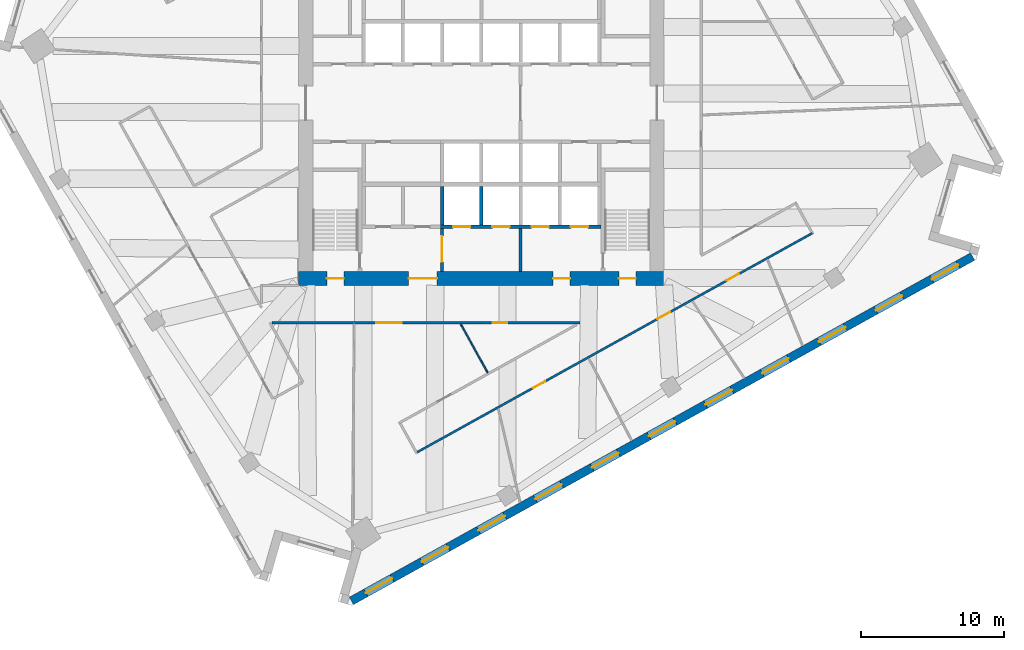
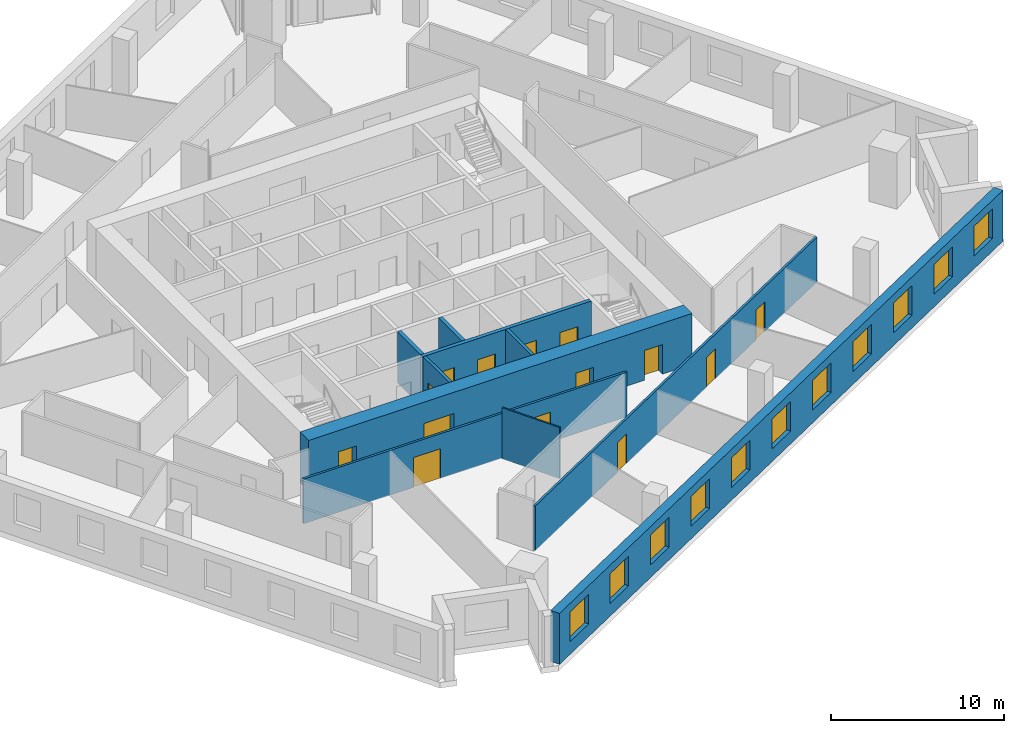
# One storey, part 6 of 12: 14 doors, 11 windows, 10 walls, 25 openings.
"""IFC4 building model written with IfcOpenShell, lengths in metres."""

from ifc_helpers import new_model, si_unit, direction, frame, frame_2d, origin, place, context, subcontext, project, spatial, rectangle, extrude, material, layer, layer_set, type_object, element, fill, save


model = new_model("IFC4")

# Units and contexts
model_context = context("Model", 3, precision=1e-05, world=origin(), true_north=direction((0.0, 1.0)))
body_context = subcontext(model_context, "Body", "Model", "MODEL_VIEW")
ifc_project = project(units=[si_unit("LENGTHUNIT", "METRE"), si_unit("AREAUNIT", "SQUARE_METRE"), si_unit("VOLUMEUNIT", "CUBIC_METRE"), si_unit("PLANEANGLEUNIT", "RADIAN"), si_unit("MASSUNIT", "GRAM", prefix="KILO")], contexts=[model_context])

# Site, building, storey
site_placement = place(None, origin())
site = spatial("IfcSite", under=ifc_project, at=site_placement, CompositionType="ELEMENT")
building_placement = place(site_placement, origin())
building = spatial("IfcBuilding", under=site, at=building_placement, Name="Dilmun Exchange Tower", CompositionType="ELEMENT")
storey_placement = place(building_placement, frame((0.0, 0.0, 143.699951171875)))
storey = spatial("IfcBuildingStorey", under=building, at=storey_placement, Name="L33", CompositionType="ELEMENT", Elevation=143.699951171875)

# Wall, opening, door
ifc_material_1 = material(Name="Concrete C40/50", Category="concrete")
ifc_layer_1 = layer(ifc_material_1, 0.199951171875)
ifc_layer_set_1 = layer_set([ifc_layer_1], Name="Concrete C40/50")
wall_type_1 = type_object("IfcWallType", Name="Core partition wall 200", PredefinedType="PARTITIONING", material=ifc_layer_set_1)
wall_1_placement = place(storey_placement, frame((-2.75, -11.794921875, 0.0), z_axis=(0.0, 0.0, 1.0), x_axis=(0.0, 1.0, 0.0)))
wall_1 = element("IfcWall", 1, at=wall_1_placement, inside=storey, type_object=wall_type_1, Name="L33 core partition wall 01", PredefinedType="PARTITIONING", context=body_context, shape_type="SweptSolid", body=[
    extrude(rectangle(XDim=2.989990234375, YDim=0.199951171875, at=frame_2d((1.4951171875, 0.0))), origin(), (0.0, 0.0, 1.0), 3.60009765625),
])
opening_1_placement = place(wall_1_placement, frame((0.657470703125, 0.0, 0.0)))
opening_1 = element("IfcOpeningElement", 2, at=opening_1_placement, cuts=wall_1, Name="Opening CD5", PredefinedType="OPENING", context=body_context, shape_type="SweptSolid", body=[
    extrude(rectangle(XDim=1.800048828125, YDim=2.10009765625, at=frame_2d((0.89990234375, 1.050048828125))), frame((0.0, 0.10986328125, 0.0), z_axis=(0.0, -1.0, 0.0), x_axis=(1.0, 0.0, 0.0)), (0.0, 0.0, 1.0), 0.219970703125),
])
ifc_material_2 = material(Name="Fire-rated steel door set", Category="steel")
door_type_1 = type_object("IfcDoorType", Name="Stair exit door 1800x2100", OperationType="SINGLE_SWING_LEFT", PredefinedType="DOOR", material=ifc_material_2)
door_1_placement = place(opening_1_placement, origin())
door_1 = element("IfcDoor", 3, at=door_1_placement, inside=storey, type_object=door_type_1, Name="L33 door Service lobby east", OperationType="SINGLE_SWING_LEFT", OverallHeight=2.10009765625, OverallWidth=1.800048828125, PredefinedType="DOOR", context=body_context, shape_type="SweptSolid", body=[
    extrude(rectangle(XDim=1.800048828125, YDim=2.10009765625, at=frame_2d((0.89990234375, 1.050048828125))), frame((0.0, 0.02490234375, 0.0), z_axis=(0.0, -1.0, 0.0), x_axis=(1.0, 0.0, 0.0)), (0.0, 0.0, 1.0), 0.050048828125),
])
fill(opening_1, door_1)

# Wall
wall_2_placement = place(storey_placement, frame((2.75, -11.794921875, 0.0), z_axis=(0.0, 0.0, 1.0), x_axis=(0.0, 1.0, 0.0)))
element("IfcWall", 4, at=wall_2_placement, inside=storey, type_object=wall_type_1, Name="L33 core partition wall 02", PredefinedType="PARTITIONING", context=body_context, shape_type="SweptSolid", body=[
    extrude(rectangle(XDim=2.989990234375, YDim=0.199951171875, at=frame_2d((1.4951171875, 0.0))), origin(), (0.0, 0.0, 1.0), 3.60009765625),
])

# Wall, openings, doors
ifc_material_3 = material(Name="Concrete C70/85", Category="concrete")
ifc_layer_2 = layer(ifc_material_3, 1.0)
ifc_layer_set_2 = layer_set([ifc_layer_2], Name="Concrete C70/85")
wall_type_2 = type_object("IfcWallType", Name="Core shear wall 1000 Concrete C70/85", PredefinedType="SHEAR", material=ifc_layer_set_2)
wall_3_placement = place(storey_placement, frame((-12.800048828125, -12.300048828125, 0.0), z_axis=(0.0, 0.0, 1.0), x_axis=(1.0, 0.0, 0.0)))
wall_3 = element("IfcWall", 5, at=wall_3_placement, inside=storey, type_object=wall_type_2, Name="L33 core shear wall S", PredefinedType="SHEAR", context=body_context, shape_type="SweptSolid", body=[
    extrude(rectangle(XDim=25.60009765625, YDim=1.0, at=frame_2d((12.800048828125, 0.0))), origin(), (0.0, 0.0, 1.0), 3.60009765625),
])
opening_2_placement = place(wall_3_placement, frame((7.699951171875, 0.0, 0.0)))
opening_2 = element("IfcOpeningElement", 6, at=opening_2_placement, cuts=wall_3, Name="Opening CD2", PredefinedType="OPENING", context=body_context, shape_type="SweptSolid", body=[
    extrude(rectangle(XDim=2.0, YDim=2.10009765625, at=frame_2d((1.0, 1.050048828125))), frame((0.0, 0.510009765625, 0.0), z_axis=(0.0, -1.0, 0.0), x_axis=(1.0, 0.0, 0.0)), (0.0, 0.0, 1.0), 1.02001953125),
])
opening_3_placement = place(wall_3_placement, frame((17.824951171875, 0.0, 0.0)))
opening_3 = element("IfcOpeningElement", 7, at=opening_3_placement, cuts=wall_3, Name="Opening CD3", PredefinedType="OPENING", context=body_context, shape_type="SweptSolid", body=[
    extrude(rectangle(XDim=1.199951171875, YDim=2.10009765625, at=frame_2d((0.60009765625, 1.050048828125))), frame((0.0, 0.510009765625, 0.0), z_axis=(0.0, -1.0, 0.0), x_axis=(1.0, 0.0, 0.0)), (0.0, 0.0, 1.0), 1.02001953125),
])
opening_4_placement = place(wall_3_placement, frame((1.97509765625, 0.0, 0.0)))
opening_4 = element("IfcOpeningElement", 8, at=opening_4_placement, cuts=wall_3, Name="Opening CD3", PredefinedType="OPENING", context=body_context, shape_type="SweptSolid", body=[
    extrude(rectangle(XDim=1.199951171875, YDim=2.10009765625, at=frame_2d((0.60009765625, 1.050048828125))), frame((0.0, 0.510009765625, 0.0), z_axis=(0.0, -1.0, 0.0), x_axis=(1.0, 0.0, 0.0)), (0.0, 0.0, 1.0), 1.02001953125),
])
opening_5_placement = place(wall_3_placement, frame((22.425048828125, 0.0, 0.0)))
opening_5 = element("IfcOpeningElement", 9, at=opening_5_placement, cuts=wall_3, Name="Opening CD3", PredefinedType="OPENING", context=body_context, shape_type="SweptSolid", body=[
    extrude(rectangle(XDim=1.199951171875, YDim=2.10009765625, at=frame_2d((0.60009765625, 1.050048828125))), frame((0.0, 0.510009765625, 0.0), z_axis=(0.0, -1.0, 0.0), x_axis=(1.0, 0.0, 0.0)), (0.0, 0.0, 1.0), 1.02001953125),
])
door_type_2 = type_object("IfcDoorType", Name="Core service door 2000x2100", OperationType="DOUBLE_DOOR_DOUBLE_SWING", PredefinedType="DOOR", material=ifc_material_2)
door_2_placement = place(opening_2_placement, origin())
door_2 = element("IfcDoor", 10, at=door_2_placement, inside=storey, type_object=door_type_2, Name="L33 door South service lobby", OperationType="SINGLE_SWING_LEFT", OverallHeight=2.10009765625, OverallWidth=2.0, PredefinedType="DOOR", context=body_context, shape_type="SweptSolid", body=[
    extrude(rectangle(XDim=2.0, YDim=2.10009765625, at=frame_2d((1.0, 1.050048828125))), frame((0.0, 0.02490234375, 0.0), z_axis=(0.0, -1.0, 0.0), x_axis=(1.0, 0.0, 0.0)), (0.0, 0.0, 1.0), 0.050048828125),
])
fill(opening_2, door_2)
door_type_3 = type_object("IfcDoorType", Name="Stair exit door 1200x2100", OperationType="SINGLE_SWING_LEFT", PredefinedType="DOOR", material=ifc_material_2)
door_3_placement = place(opening_3_placement, origin())
door_3 = element("IfcDoor", 11, at=door_3_placement, inside=storey, type_object=door_type_3, Name="L33 door Fire-fighting lobby", OperationType="SINGLE_SWING_LEFT", OverallHeight=2.10009765625, OverallWidth=1.199951171875, PredefinedType="DOOR", context=body_context, shape_type="SweptSolid", body=[
    extrude(rectangle(XDim=1.199951171875, YDim=2.10009765625, at=frame_2d((0.60009765625, 1.050048828125))), frame((0.0, 0.02490234375, 0.0), z_axis=(0.0, -1.0, 0.0), x_axis=(1.0, 0.0, 0.0)), (0.0, 0.0, 1.0), 0.050048828125),
])
fill(opening_3, door_3)
door_4_placement = place(opening_4_placement, origin())
door_4 = element("IfcDoor", 12, at=door_4_placement, inside=storey, type_object=door_type_3, Name="L33 door Stair ST2", OperationType="SINGLE_SWING_LEFT", OverallHeight=2.10009765625, OverallWidth=1.199951171875, PredefinedType="DOOR", context=body_context, shape_type="SweptSolid", body=[
    extrude(rectangle(XDim=1.199951171875, YDim=2.10009765625, at=frame_2d((0.60009765625, 1.050048828125))), frame((0.0, 0.02490234375, 0.0), z_axis=(0.0, -1.0, 0.0), x_axis=(1.0, 0.0, 0.0)), (0.0, 0.0, 1.0), 0.050048828125),
])
fill(opening_4, door_4)
door_5_placement = place(opening_5_placement, origin())
door_5 = element("IfcDoor", 13, at=door_5_placement, inside=storey, type_object=door_type_3, Name="L33 door Stair ST3", OperationType="SINGLE_SWING_LEFT", OverallHeight=2.10009765625, OverallWidth=1.199951171875, PredefinedType="DOOR", context=body_context, shape_type="SweptSolid", body=[
    extrude(rectangle(XDim=1.199951171875, YDim=2.10009765625, at=frame_2d((0.60009765625, 1.050048828125))), frame((0.0, 0.02490234375, 0.0), z_axis=(0.0, -1.0, 0.0), x_axis=(1.0, 0.0, 0.0)), (0.0, 0.0, 1.0), 0.050048828125),
])
fill(opening_5, door_5)

ifc_material_4 = material(Name="Corridor wall 150")
ifc_layer_3 = layer(ifc_material_4, 0.14990234375)
ifc_layer_set_3 = layer_set([ifc_layer_3], Name="Corridor wall 150")
wall_type_3 = type_object("IfcWallType", Name="Corridor wall 150", PredefinedType="PARTITIONING", material=ifc_layer_set_3)
wall_4_placement = place(storey_placement, frame((-14.68359375, -15.39990234375, 0.0), z_axis=(0.0, 0.0, 1.0), x_axis=(1.0, 0.0, 0.0)))
wall_4 = element("IfcWall", 14, at=wall_4_placement, inside=storey, type_object=wall_type_3, Name="Corridor wall", PredefinedType="PARTITIONING", context=body_context, shape_type="SweptSolid", body=[
    extrude(rectangle(XDim=21.595703125, YDim=0.14990234375, at=frame_2d((10.7978515625, 0.0))), origin(), (0.0, 0.0, 1.0), 3.150146484375),
])
opening_6_placement = place(wall_4_placement, frame((7.322265625, 0.0, 0.0)))
opening_6 = element("IfcOpeningElement", 15, at=opening_6_placement, cuts=wall_4, Name="Opening TF31-D10", PredefinedType="OPENING", context=body_context, shape_type="SweptSolid", body=[
    extrude(rectangle(XDim=1.800048828125, YDim=2.10009765625, at=frame_2d((0.89990234375, 1.050048828125))), frame((0.0, 0.0849609375, 0.0), z_axis=(0.0, -1.0, 0.0), x_axis=(1.0, 0.0, 0.0)), (0.0, 0.0, 1.0), 0.169921875),
])
opening_7_placement = place(wall_4_placement, frame((15.4873046875, 0.0, 0.0)))
opening_7 = element("IfcOpeningElement", 16, at=opening_7_placement, cuts=wall_4, Name="Opening TF31-D13", PredefinedType="OPENING", context=body_context, shape_type="SweptSolid", body=[
    extrude(rectangle(XDim=1.0, YDim=2.10009765625, at=frame_2d((0.5, 1.050048828125))), frame((0.0, 0.0849609375, 0.0), z_axis=(0.0, -1.0, 0.0), x_axis=(1.0, 0.0, 0.0)), (0.0, 0.0, 1.0), 0.169921875),
])
ifc_material_5 = material(Name="Fire door 1000 x 2100")
door_type_4 = type_object("IfcDoorType", Name="Fire door 1000 x 2100", OperationType="NOTDEFINED", PredefinedType="DOOR", material=ifc_material_5)
door_6_placement = place(opening_7_placement, frame((1.0, 0.0, 0.0), z_axis=(0.0, 0.0, 1.0), x_axis=(-1.0, 0.0, 0.0)))
door_6 = element("IfcDoor", 17, at=door_6_placement, inside=storey, type_object=door_type_4, Name="Door TF31-D13", OperationType="SINGLE_SWING_LEFT", OverallHeight=2.10009765625, OverallWidth=1.0, PredefinedType="DOOR", context=body_context, shape_type="SweptSolid", body=[
    extrude(rectangle(XDim=1.0, YDim=2.10009765625, at=frame_2d((0.5, 1.050048828125))), frame((0.0, 0.02490234375, 0.0), z_axis=(0.0, -1.0, 0.0), x_axis=(1.0, 0.0, 0.0)), (0.0, 0.0, 1.0), 0.050048828125),
])
fill(opening_7, door_6)
ifc_material_6 = material(Name="Fire door pair 1800 x 2100")
door_type_5 = type_object("IfcDoorType", Name="Fire door pair 1800 x 2100", OperationType="NOTDEFINED", PredefinedType="DOOR", material=ifc_material_6)
door_7_placement = place(opening_6_placement, frame((1.800048828125, 0.0, 0.0), z_axis=(0.0, 0.0, 1.0), x_axis=(-1.0, 0.0, 0.0)))
door_7 = element("IfcDoor", 18, at=door_7_placement, inside=storey, type_object=door_type_5, Name="Door TF31-D10", OperationType="DOUBLE_DOOR_SINGLE_SWING", OverallHeight=2.10009765625, OverallWidth=1.800048828125, PredefinedType="DOOR", context=body_context, shape_type="SweptSolid", body=[
    extrude(rectangle(XDim=1.800048828125, YDim=2.10009765625, at=frame_2d((0.89990234375, 1.050048828125))), frame((0.0, 0.02490234375, 0.0), z_axis=(0.0, -1.0, 0.0), x_axis=(1.0, 0.0, 0.0)), (0.0, 0.0, 1.0), 0.050048828125),
])
fill(opening_6, door_7)

wall_5_placement = place(storey_placement, frame((-4.484375, -24.461669921875, 0.0), z_axis=(0.0, 0.0, 1.0), x_axis=(0.874618059696, 0.484812592301, 0.0)))
wall_5 = element("IfcWall", 19, at=wall_5_placement, inside=storey, type_object=wall_type_3, Name="Corridor wall", PredefinedType="PARTITIONING", context=body_context, shape_type="SweptSolid", body=[
    extrude(rectangle(XDim=31.63818359375, YDim=0.14990234375, at=frame_2d((15.819091796875, 0.0))), origin(), (0.0, 0.0, 1.0), 3.150146484375),
])
opening_8_placement = place(wall_5_placement, frame((9.25, 0.0, 0.0)))
opening_8 = element("IfcOpeningElement", 20, at=opening_8_placement, cuts=wall_5, Name="Opening TF31-D14", PredefinedType="OPENING", context=body_context, shape_type="SweptSolid", body=[
    extrude(rectangle(XDim=1.0, YDim=2.10009765625, at=frame_2d((0.5, 1.050048828125))), frame((0.0, 0.0849609375, 0.0), z_axis=(0.0, -1.0, 0.0), x_axis=(1.0, 0.0, 0.0)), (0.0, 0.0, 1.0), 0.169921875),
])
opening_9_placement = place(wall_5_placement, frame((19.23876953125, 0.0, 0.0)))
opening_9 = element("IfcOpeningElement", 21, at=opening_9_placement, cuts=wall_5, Name="Opening TF31-D17", PredefinedType="OPENING", context=body_context, shape_type="SweptSolid", body=[
    extrude(rectangle(XDim=1.0, YDim=2.10009765625, at=frame_2d((0.5, 1.050048828125))), frame((0.0, 0.0849609375, 0.0), z_axis=(0.0, -1.0, 0.0), x_axis=(1.0, 0.0, 0.0)), (0.0, 0.0, 1.0), 0.169921875),
])
opening_10_placement = place(wall_5_placement, frame((24.7724609375, 0.0, 0.0)))
opening_10 = element("IfcOpeningElement", 22, at=opening_10_placement, cuts=wall_5, Name="Opening TF31-D19", PredefinedType="OPENING", context=body_context, shape_type="SweptSolid", body=[
    extrude(rectangle(XDim=1.0, YDim=2.10009765625, at=frame_2d((0.5, 1.050048828125))), frame((0.0, 0.0849609375, 0.0), z_axis=(0.0, -1.0, 0.0), x_axis=(1.0, 0.0, 0.0)), (0.0, 0.0, 1.0), 0.169921875),
])
door_8_placement = place(opening_8_placement, frame((1.0, 0.0, 0.0), z_axis=(0.0, 0.0, 1.0), x_axis=(-1.0, 0.0, 0.0)))
door_8 = element("IfcDoor", 23, at=door_8_placement, inside=storey, type_object=door_type_4, Name="Door TF31-D14", OperationType="SINGLE_SWING_RIGHT", OverallHeight=2.10009765625, OverallWidth=1.0, PredefinedType="DOOR", context=body_context, shape_type="SweptSolid", body=[
    extrude(rectangle(XDim=1.0, YDim=2.10009765625, at=frame_2d((0.5, 1.050048828125))), frame((0.0, 0.02490234375, 0.0), z_axis=(0.0, -1.0, 0.0), x_axis=(1.0, 0.0, 0.0)), (0.0, 0.0, 1.0), 0.050048828125),
])
fill(opening_8, door_8)
door_9_placement = place(opening_9_placement, frame((1.0, 0.0, 0.0), z_axis=(0.0, 0.0, 1.0), x_axis=(-1.0, 0.0, 0.0)))
door_9 = element("IfcDoor", 24, at=door_9_placement, inside=storey, type_object=door_type_4, Name="Door TF31-D17", OperationType="SINGLE_SWING_RIGHT", OverallHeight=2.10009765625, OverallWidth=1.0, PredefinedType="DOOR", context=body_context, shape_type="SweptSolid", body=[
    extrude(rectangle(XDim=1.0, YDim=2.10009765625, at=frame_2d((0.5, 1.050048828125))), frame((0.0, 0.02490234375, 0.0), z_axis=(0.0, -1.0, 0.0), x_axis=(1.0, 0.0, 0.0)), (0.0, 0.0, 1.0), 0.050048828125),
])
fill(opening_9, door_9)
door_10_placement = place(opening_10_placement, frame((1.0, 0.0, 0.0), z_axis=(0.0, 0.0, 1.0), x_axis=(-1.0, 0.0, 0.0)))
door_10 = element("IfcDoor", 25, at=door_10_placement, inside=storey, type_object=door_type_4, Name="Door TF31-D19", OperationType="SINGLE_SWING_RIGHT", OverallHeight=2.10009765625, OverallWidth=1.0, PredefinedType="DOOR", context=body_context, shape_type="SweptSolid", body=[
    extrude(rectangle(XDim=1.0, YDim=2.10009765625, at=frame_2d((0.5, 1.050048828125))), frame((0.0, 0.02490234375, 0.0), z_axis=(0.0, -1.0, 0.0), x_axis=(1.0, 0.0, 0.0)), (0.0, 0.0, 1.0), 0.050048828125),
])
fill(opening_10, door_10)

ifc_layer_4 = layer(ifc_material_1, 0.25)
ifc_layer_set_4 = layer_set([ifc_layer_4], Name="Concrete C40/50")
wall_type_4 = type_object("IfcWallType", Name="Lift shaft wall 250", PredefinedType="SOLIDWALL", material=ifc_layer_set_4)
wall_6_placement = place(storey_placement, frame((-2.875, -8.675048828125, 0.0), z_axis=(0.0, 0.0, 1.0), x_axis=(1.0, 0.0, 0.0)))
wall_6 = element("IfcWall", 26, at=wall_6_placement, inside=storey, type_object=wall_type_4, Name="L33 lift shaft front wall S2", PredefinedType="SOLIDWALL", context=body_context, shape_type="SweptSolid", body=[
    extrude(rectangle(XDim=11.25, YDim=0.25, at=frame_2d((5.625, 0.0))), origin(), (0.0, 0.0, 1.0), 3.60009765625),
])
opening_11_placement = place(wall_6_placement, frame((0.89990234375, 0.0, 0.0)))
opening_11 = element("IfcOpeningElement", 27, at=opening_11_placement, cuts=wall_6, Name="Opening LD", PredefinedType="OPENING", context=body_context, shape_type="SweptSolid", body=[
    extrude(rectangle(XDim=1.199951171875, YDim=2.10009765625, at=frame_2d((0.60009765625, 1.050048828125))), frame((0.0, 0.135009765625, 0.0), z_axis=(0.0, -1.0, 0.0), x_axis=(1.0, 0.0, 0.0)), (0.0, 0.0, 1.0), 0.27001953125),
])
opening_12_placement = place(wall_6_placement, frame((3.64990234375, 0.0, 0.0)))
opening_12 = element("IfcOpeningElement", 28, at=opening_12_placement, cuts=wall_6, Name="Opening LD", PredefinedType="OPENING", context=body_context, shape_type="SweptSolid", body=[
    extrude(rectangle(XDim=1.199951171875, YDim=2.10009765625, at=frame_2d((0.60009765625, 1.050048828125))), frame((0.0, 0.135009765625, 0.0), z_axis=(0.0, -1.0, 0.0), x_axis=(1.0, 0.0, 0.0)), (0.0, 0.0, 1.0), 0.27001953125),
])
opening_13_placement = place(wall_6_placement, frame((6.39990234375, 0.0, 0.0)))
opening_13 = element("IfcOpeningElement", 29, at=opening_13_placement, cuts=wall_6, Name="Opening LD", PredefinedType="OPENING", context=body_context, shape_type="SweptSolid", body=[
    extrude(rectangle(XDim=1.199951171875, YDim=2.10009765625, at=frame_2d((0.60009765625, 1.050048828125))), frame((0.0, 0.135009765625, 0.0), z_axis=(0.0, -1.0, 0.0), x_axis=(1.0, 0.0, 0.0)), (0.0, 0.0, 1.0), 0.27001953125),
])
opening_14_placement = place(wall_6_placement, frame((9.14990234375, 0.0, 0.0)))
opening_14 = element("IfcOpeningElement", 30, at=opening_14_placement, cuts=wall_6, Name="Opening LD", PredefinedType="OPENING", context=body_context, shape_type="SweptSolid", body=[
    extrude(rectangle(XDim=1.199951171875, YDim=2.10009765625, at=frame_2d((0.60009765625, 1.050048828125))), frame((0.0, 0.135009765625, 0.0), z_axis=(0.0, -1.0, 0.0), x_axis=(1.0, 0.0, 0.0)), (0.0, 0.0, 1.0), 0.27001953125),
])
door_type_6 = type_object("IfcDoorType", Name="Lift landing door 1200x2100", OperationType="DOUBLE_DOOR_SLIDING", PredefinedType="DOOR", material=ifc_material_2)
door_11_placement = place(opening_11_placement, origin())
door_11 = element("IfcDoor", 31, at=door_11_placement, inside=storey, type_object=door_type_6, Name="L33 landing door SV1", OperationType="DOUBLE_DOOR_SLIDING", OverallHeight=2.10009765625, OverallWidth=1.199951171875, PredefinedType="DOOR", context=body_context, shape_type="SweptSolid", body=[
    extrude(rectangle(XDim=1.199951171875, YDim=2.10009765625, at=frame_2d((0.60009765625, 1.050048828125))), frame((0.0, 0.02490234375, 0.0), z_axis=(0.0, -1.0, 0.0), x_axis=(1.0, 0.0, 0.0)), (0.0, 0.0, 1.0), 0.050048828125),
])
fill(opening_11, door_11)
door_12_placement = place(opening_12_placement, origin())
door_12 = element("IfcDoor", 32, at=door_12_placement, inside=storey, type_object=door_type_6, Name="L33 landing door SV2", OperationType="DOUBLE_DOOR_SLIDING", OverallHeight=2.10009765625, OverallWidth=1.199951171875, PredefinedType="DOOR", context=body_context, shape_type="SweptSolid", body=[
    extrude(rectangle(XDim=1.199951171875, YDim=2.10009765625, at=frame_2d((0.60009765625, 1.050048828125))), frame((0.0, 0.02490234375, 0.0), z_axis=(0.0, -1.0, 0.0), x_axis=(1.0, 0.0, 0.0)), (0.0, 0.0, 1.0), 0.050048828125),
])
fill(opening_12, door_12)
door_13_placement = place(opening_13_placement, origin())
door_13 = element("IfcDoor", 33, at=door_13_placement, inside=storey, type_object=door_type_6, Name="L33 landing door FF1", OperationType="DOUBLE_DOOR_SLIDING", OverallHeight=2.10009765625, OverallWidth=1.199951171875, PredefinedType="DOOR", context=body_context, shape_type="SweptSolid", body=[
    extrude(rectangle(XDim=1.199951171875, YDim=2.10009765625, at=frame_2d((0.60009765625, 1.050048828125))), frame((0.0, 0.02490234375, 0.0), z_axis=(0.0, -1.0, 0.0), x_axis=(1.0, 0.0, 0.0)), (0.0, 0.0, 1.0), 0.050048828125),
])
fill(opening_13, door_13)
door_14_placement = place(opening_14_placement, origin())
door_14 = element("IfcDoor", 34, at=door_14_placement, inside=storey, type_object=door_type_6, Name="L33 landing door FF2", OperationType="DOUBLE_DOOR_SLIDING", OverallHeight=2.10009765625, OverallWidth=1.199951171875, PredefinedType="DOOR", context=body_context, shape_type="SweptSolid", body=[
    extrude(rectangle(XDim=1.199951171875, YDim=2.10009765625, at=frame_2d((0.60009765625, 1.050048828125))), frame((0.0, 0.02490234375, 0.0), z_axis=(0.0, -1.0, 0.0), x_axis=(1.0, 0.0, 0.0)), (0.0, 0.0, 1.0), 0.050048828125),
])
fill(opening_14, door_14)

# Walls
for number, where, z_axis, x_axis, name in (
    (35, (-2.75, -8.550048828125, 0.0), (0.0, 0.0, 1.0), (0.0, 1.0, 0.0), "L33 lift shaft divider S22"),
    (36, (0.0, -8.550048828125, 0.0), (0.0, 0.0, 1.0), (0.0, 1.0, 0.0), "L33 lift shaft divider S23"),
):
    element("IfcWall", number, at=place(storey_placement, frame(where, z_axis=z_axis, x_axis=x_axis)), inside=storey, type_object=wall_type_4, Name=name, PredefinedType="SOLIDWALL", context=body_context, shape_type="SweptSolid", body=[
        extrude(rectangle(XDim=2.699951171875, YDim=0.25, at=frame_2d((1.35009765625, 0.0))), origin(), (0.0, 0.0, 1.0), 3.60009765625),
    ])
ifc_material_7 = material(Name="Partition 100")
ifc_layer_5 = layer(ifc_material_7, 0.10009765625)
ifc_layer_set_5 = layer_set([ifc_layer_5], Name="Partition 100")
wall_type_5 = type_object("IfcWallType", Name="Partition 100", PredefinedType="PARTITIONING", material=ifc_layer_set_5)
wall_7_placement = place(storey_placement, frame((-1.44091796875, -15.499267578125, 0.0), z_axis=(0.0, 0.0, 1.0), x_axis=(0.484661708709, -0.874701679495, 0.0)))
element("IfcWall", 37, at=wall_7_placement, inside=storey, type_object=wall_type_5, Name="Partition", PredefinedType="PARTITIONING", context=body_context, shape_type="SweptSolid", body=[
    extrude(rectangle(XDim=3.888427734375, YDim=0.10009765625, at=frame_2d((1.9443359375, 0.0))), origin(), (0.0, 0.0, 1.0), 3.60009765625),
])

# Wall, openings, windows
ifc_material_8 = material(Name="Precast concrete C50/60", Category="concrete")
ifc_layer_6 = layer(ifc_material_8, 0.60009765625)
ifc_layer_set_6 = layer_set([ifc_layer_6], Name="Precast concrete C50/60")
wall_type_6 = type_object("IfcWallType", Name="Precast stone-clad wall 600", PredefinedType="STANDARD", material=ifc_layer_set_6)
wall_8_placement = place(storey_placement, frame((-9.103271484375, -34.8876953125, 0.0), z_axis=(0.0, 0.0, 1.0), x_axis=(0.874618897425, 0.484811081007, 0.0)))
wall_8 = element("IfcWall", 38, at=wall_8_placement, inside=storey, type_object=wall_type_6, Name="Facade wall L33-15", PredefinedType="STANDARD", context=body_context, shape_type="SweptSolid", body=[
    extrude(rectangle(XDim=49.75146484375, YDim=0.60009765625, at=frame_2d((24.875732421875, 0.0))), origin(), (0.0, 0.0, 1.0), 3.60009765625),
])
opening_15_placement = place(wall_8_placement, frame((1.16064453125, 0.0, 0.89990234375)))
opening_15 = element("IfcOpeningElement", 39, at=opening_15_placement, cuts=wall_8, Name="Opening W210-210", PredefinedType="OPENING", context=body_context, shape_type="SweptSolid", body=[
    extrude(rectangle(XDim=2.10009765625, YDim=2.10009765625, at=frame_2d((1.050048828125, 1.050048828125))), frame((0.0, 0.31005859375, 0.0), z_axis=(0.0, -1.0, 0.0), x_axis=(1.0, 0.0, 0.0)), (0.0, 0.0, 1.0), 0.6201171875),
])
opening_16_placement = place(wall_8_placement, frame((5.643798828125, 0.0, 0.89990234375)))
opening_16 = element("IfcOpeningElement", 40, at=opening_16_placement, cuts=wall_8, Name="Opening W210-210", PredefinedType="OPENING", context=body_context, shape_type="SweptSolid", body=[
    extrude(rectangle(XDim=2.10009765625, YDim=2.10009765625, at=frame_2d((1.050048828125, 1.050048828125))), frame((0.0, 0.31005859375, 0.0), z_axis=(0.0, -1.0, 0.0), x_axis=(1.0, 0.0, 0.0)), (0.0, 0.0, 1.0), 0.6201171875),
])
opening_17_placement = place(wall_8_placement, frame((10.189453125, 0.0, 0.89990234375)))
opening_17 = element("IfcOpeningElement", 41, at=opening_17_placement, cuts=wall_8, Name="Opening W210-210", PredefinedType="OPENING", context=body_context, shape_type="SweptSolid", body=[
    extrude(rectangle(XDim=2.10009765625, YDim=2.10009765625, at=frame_2d((1.050048828125, 1.050048828125))), frame((0.0, 0.31005859375, 0.0), z_axis=(0.0, -1.0, 0.0), x_axis=(1.0, 0.0, 0.0)), (0.0, 0.0, 1.0), 0.6201171875),
])
opening_18_placement = place(wall_8_placement, frame((14.73486328125, 0.0, 0.89990234375)))
opening_18 = element("IfcOpeningElement", 42, at=opening_18_placement, cuts=wall_8, Name="Opening W210-210", PredefinedType="OPENING", context=body_context, shape_type="SweptSolid", body=[
    extrude(rectangle(XDim=2.10009765625, YDim=2.10009765625, at=frame_2d((1.050048828125, 1.050048828125))), frame((0.0, 0.31005859375, 0.0), z_axis=(0.0, -1.0, 0.0), x_axis=(1.0, 0.0, 0.0)), (0.0, 0.0, 1.0), 0.6201171875),
])
opening_19_placement = place(wall_8_placement, frame((19.2802734375, 0.0, 0.89990234375)))
opening_19 = element("IfcOpeningElement", 43, at=opening_19_placement, cuts=wall_8, Name="Opening W210-210", PredefinedType="OPENING", context=body_context, shape_type="SweptSolid", body=[
    extrude(rectangle(XDim=2.10009765625, YDim=2.10009765625, at=frame_2d((1.050048828125, 1.050048828125))), frame((0.0, 0.31005859375, 0.0), z_axis=(0.0, -1.0, 0.0), x_axis=(1.0, 0.0, 0.0)), (0.0, 0.0, 1.0), 0.6201171875),
])
opening_20_placement = place(wall_8_placement, frame((23.82568359375, 0.0, 0.89990234375)))
opening_20 = element("IfcOpeningElement", 44, at=opening_20_placement, cuts=wall_8, Name="Opening W210-210", PredefinedType="OPENING", context=body_context, shape_type="SweptSolid", body=[
    extrude(rectangle(XDim=2.10009765625, YDim=2.10009765625, at=frame_2d((1.050048828125, 1.050048828125))), frame((0.0, 0.31005859375, 0.0), z_axis=(0.0, -1.0, 0.0), x_axis=(1.0, 0.0, 0.0)), (0.0, 0.0, 1.0), 0.6201171875),
])
opening_21_placement = place(wall_8_placement, frame((28.37109375, 0.0, 0.89990234375)))
opening_21 = element("IfcOpeningElement", 45, at=opening_21_placement, cuts=wall_8, Name="Opening W210-210", PredefinedType="OPENING", context=body_context, shape_type="SweptSolid", body=[
    extrude(rectangle(XDim=2.10009765625, YDim=2.10009765625, at=frame_2d((1.050048828125, 1.050048828125))), frame((0.0, 0.31005859375, 0.0), z_axis=(0.0, -1.0, 0.0), x_axis=(1.0, 0.0, 0.0)), (0.0, 0.0, 1.0), 0.6201171875),
])
opening_22_placement = place(wall_8_placement, frame((32.91650390625, 0.0, 0.89990234375)))
opening_22 = element("IfcOpeningElement", 46, at=opening_22_placement, cuts=wall_8, Name="Opening W210-210", PredefinedType="OPENING", context=body_context, shape_type="SweptSolid", body=[
    extrude(rectangle(XDim=2.10009765625, YDim=2.10009765625, at=frame_2d((1.050048828125, 1.050048828125))), frame((0.0, 0.31005859375, 0.0), z_axis=(0.0, -1.0, 0.0), x_axis=(1.0, 0.0, 0.0)), (0.0, 0.0, 1.0), 0.6201171875),
])
opening_23_placement = place(wall_8_placement, frame((37.462158203125, 0.0, 0.89990234375)))
opening_23 = element("IfcOpeningElement", 47, at=opening_23_placement, cuts=wall_8, Name="Opening W210-210", PredefinedType="OPENING", context=body_context, shape_type="SweptSolid", body=[
    extrude(rectangle(XDim=2.10009765625, YDim=2.10009765625, at=frame_2d((1.050048828125, 1.050048828125))), frame((0.0, 0.31005859375, 0.0), z_axis=(0.0, -1.0, 0.0), x_axis=(1.0, 0.0, 0.0)), (0.0, 0.0, 1.0), 0.6201171875),
])
opening_24_placement = place(wall_8_placement, frame((42.007568359375, 0.0, 0.89990234375)))
opening_24 = element("IfcOpeningElement", 48, at=opening_24_placement, cuts=wall_8, Name="Opening W210-210", PredefinedType="OPENING", context=body_context, shape_type="SweptSolid", body=[
    extrude(rectangle(XDim=2.10009765625, YDim=2.10009765625, at=frame_2d((1.050048828125, 1.050048828125))), frame((0.0, 0.31005859375, 0.0), z_axis=(0.0, -1.0, 0.0), x_axis=(1.0, 0.0, 0.0)), (0.0, 0.0, 1.0), 0.6201171875),
])
opening_25_placement = place(wall_8_placement, frame((46.490966796875, 0.0, 0.89990234375)))
opening_25 = element("IfcOpeningElement", 49, at=opening_25_placement, cuts=wall_8, Name="Opening W210-210", PredefinedType="OPENING", context=body_context, shape_type="SweptSolid", body=[
    extrude(rectangle(XDim=2.10009765625, YDim=2.10009765625, at=frame_2d((1.050048828125, 1.050048828125))), frame((0.0, 0.31005859375, 0.0), z_axis=(0.0, -1.0, 0.0), x_axis=(1.0, 0.0, 0.0)), (0.0, 0.0, 1.0), 0.6201171875),
])
ifc_material_9 = material(Name="Clear low-emissivity glass in aluminium frame", Category="aluminium")
window_type = type_object("IfcWindowType", Name="Punched window 2100 x 2100", PartitioningType="DOUBLE_PANEL_VERTICAL", PredefinedType="WINDOW", material=ifc_material_9)
window_1_placement = place(opening_15_placement, origin())
window_1 = element("IfcWindow", 50, at=window_1_placement, inside=storey, type_object=window_type, Name="Window 16.1", OverallHeight=2.10009765625, OverallWidth=2.10009765625, PartitioningType="SINGLE_PANEL", PredefinedType="WINDOW", context=body_context, shape_type="SweptSolid", body=[
    extrude(rectangle(XDim=2.10009765625, YDim=2.10009765625, at=frame_2d((1.050048828125, 1.050048828125))), frame((0.0, 0.030029296875, 0.0), z_axis=(0.0, -1.0, 0.0), x_axis=(1.0, 0.0, 0.0)), (0.0, 0.0, 1.0), 0.06005859375),
])
fill(opening_15, window_1)
window_2_placement = place(opening_16_placement, origin())
window_2 = element("IfcWindow", 51, at=window_2_placement, inside=storey, type_object=window_type, Name="Window 16.2", OverallHeight=2.10009765625, OverallWidth=2.10009765625, PartitioningType="SINGLE_PANEL", PredefinedType="WINDOW", context=body_context, shape_type="SweptSolid", body=[
    extrude(rectangle(XDim=2.10009765625, YDim=2.10009765625, at=frame_2d((1.050048828125, 1.050048828125))), frame((0.0, 0.030029296875, 0.0), z_axis=(0.0, -1.0, 0.0), x_axis=(1.0, 0.0, 0.0)), (0.0, 0.0, 1.0), 0.06005859375),
])
fill(opening_16, window_2)
window_3_placement = place(opening_17_placement, origin())
window_3 = element("IfcWindow", 52, at=window_3_placement, inside=storey, type_object=window_type, Name="Window 16.3", OverallHeight=2.10009765625, OverallWidth=2.10009765625, PartitioningType="SINGLE_PANEL", PredefinedType="WINDOW", context=body_context, shape_type="SweptSolid", body=[
    extrude(rectangle(XDim=2.10009765625, YDim=2.10009765625, at=frame_2d((1.050048828125, 1.050048828125))), frame((0.0, 0.030029296875, 0.0), z_axis=(0.0, -1.0, 0.0), x_axis=(1.0, 0.0, 0.0)), (0.0, 0.0, 1.0), 0.06005859375),
])
fill(opening_17, window_3)
window_4_placement = place(opening_18_placement, origin())
window_4 = element("IfcWindow", 53, at=window_4_placement, inside=storey, type_object=window_type, Name="Window 16.4", OverallHeight=2.10009765625, OverallWidth=2.10009765625, PartitioningType="SINGLE_PANEL", PredefinedType="WINDOW", context=body_context, shape_type="SweptSolid", body=[
    extrude(rectangle(XDim=2.10009765625, YDim=2.10009765625, at=frame_2d((1.050048828125, 1.050048828125))), frame((0.0, 0.030029296875, 0.0), z_axis=(0.0, -1.0, 0.0), x_axis=(1.0, 0.0, 0.0)), (0.0, 0.0, 1.0), 0.06005859375),
])
fill(opening_18, window_4)
window_5_placement = place(opening_19_placement, origin())
window_5 = element("IfcWindow", 54, at=window_5_placement, inside=storey, type_object=window_type, Name="Window 16.5", OverallHeight=2.10009765625, OverallWidth=2.10009765625, PartitioningType="SINGLE_PANEL", PredefinedType="WINDOW", context=body_context, shape_type="SweptSolid", body=[
    extrude(rectangle(XDim=2.10009765625, YDim=2.10009765625, at=frame_2d((1.050048828125, 1.050048828125))), frame((0.0, 0.030029296875, 0.0), z_axis=(0.0, -1.0, 0.0), x_axis=(1.0, 0.0, 0.0)), (0.0, 0.0, 1.0), 0.06005859375),
])
fill(opening_19, window_5)
window_6_placement = place(opening_20_placement, origin())
window_6 = element("IfcWindow", 55, at=window_6_placement, inside=storey, type_object=window_type, Name="Window 16.6", OverallHeight=2.10009765625, OverallWidth=2.10009765625, PartitioningType="SINGLE_PANEL", PredefinedType="WINDOW", context=body_context, shape_type="SweptSolid", body=[
    extrude(rectangle(XDim=2.10009765625, YDim=2.10009765625, at=frame_2d((1.050048828125, 1.050048828125))), frame((0.0, 0.030029296875, 0.0), z_axis=(0.0, -1.0, 0.0), x_axis=(1.0, 0.0, 0.0)), (0.0, 0.0, 1.0), 0.06005859375),
])
fill(opening_20, window_6)
window_7_placement = place(opening_21_placement, origin())
window_7 = element("IfcWindow", 56, at=window_7_placement, inside=storey, type_object=window_type, Name="Window 16.7", OverallHeight=2.10009765625, OverallWidth=2.10009765625, PartitioningType="SINGLE_PANEL", PredefinedType="WINDOW", context=body_context, shape_type="SweptSolid", body=[
    extrude(rectangle(XDim=2.10009765625, YDim=2.10009765625, at=frame_2d((1.050048828125, 1.050048828125))), frame((0.0, 0.030029296875, 0.0), z_axis=(0.0, -1.0, 0.0), x_axis=(1.0, 0.0, 0.0)), (0.0, 0.0, 1.0), 0.06005859375),
])
fill(opening_21, window_7)
window_8_placement = place(opening_22_placement, origin())
window_8 = element("IfcWindow", 57, at=window_8_placement, inside=storey, type_object=window_type, Name="Window 16.8", OverallHeight=2.10009765625, OverallWidth=2.10009765625, PartitioningType="SINGLE_PANEL", PredefinedType="WINDOW", context=body_context, shape_type="SweptSolid", body=[
    extrude(rectangle(XDim=2.10009765625, YDim=2.10009765625, at=frame_2d((1.050048828125, 1.050048828125))), frame((0.0, 0.030029296875, 0.0), z_axis=(0.0, -1.0, 0.0), x_axis=(1.0, 0.0, 0.0)), (0.0, 0.0, 1.0), 0.06005859375),
])
fill(opening_22, window_8)
window_9_placement = place(opening_23_placement, origin())
window_9 = element("IfcWindow", 58, at=window_9_placement, inside=storey, type_object=window_type, Name="Window 16.9", OverallHeight=2.10009765625, OverallWidth=2.10009765625, PartitioningType="SINGLE_PANEL", PredefinedType="WINDOW", context=body_context, shape_type="SweptSolid", body=[
    extrude(rectangle(XDim=2.10009765625, YDim=2.10009765625, at=frame_2d((1.050048828125, 1.050048828125))), frame((0.0, 0.030029296875, 0.0), z_axis=(0.0, -1.0, 0.0), x_axis=(1.0, 0.0, 0.0)), (0.0, 0.0, 1.0), 0.06005859375),
])
fill(opening_23, window_9)
window_10_placement = place(opening_24_placement, origin())
window_10 = element("IfcWindow", 59, at=window_10_placement, inside=storey, type_object=window_type, Name="Window 16.10", OverallHeight=2.10009765625, OverallWidth=2.10009765625, PartitioningType="SINGLE_PANEL", PredefinedType="WINDOW", context=body_context, shape_type="SweptSolid", body=[
    extrude(rectangle(XDim=2.10009765625, YDim=2.10009765625, at=frame_2d((1.050048828125, 1.050048828125))), frame((0.0, 0.030029296875, 0.0), z_axis=(0.0, -1.0, 0.0), x_axis=(1.0, 0.0, 0.0)), (0.0, 0.0, 1.0), 0.06005859375),
])
fill(opening_24, window_10)
window_11_placement = place(opening_25_placement, origin())
window_11 = element("IfcWindow", 60, at=window_11_placement, inside=storey, type_object=window_type, Name="Window 16.11", OverallHeight=2.10009765625, OverallWidth=2.10009765625, PartitioningType="SINGLE_PANEL", PredefinedType="WINDOW", context=body_context, shape_type="SweptSolid", body=[
    extrude(rectangle(XDim=2.10009765625, YDim=2.10009765625, at=frame_2d((1.050048828125, 1.050048828125))), frame((0.0, 0.030029296875, 0.0), z_axis=(0.0, -1.0, 0.0), x_axis=(1.0, 0.0, 0.0)), (0.0, 0.0, 1.0), 0.06005859375),
])
fill(opening_25, window_11)

save(model, "model.ifc")
